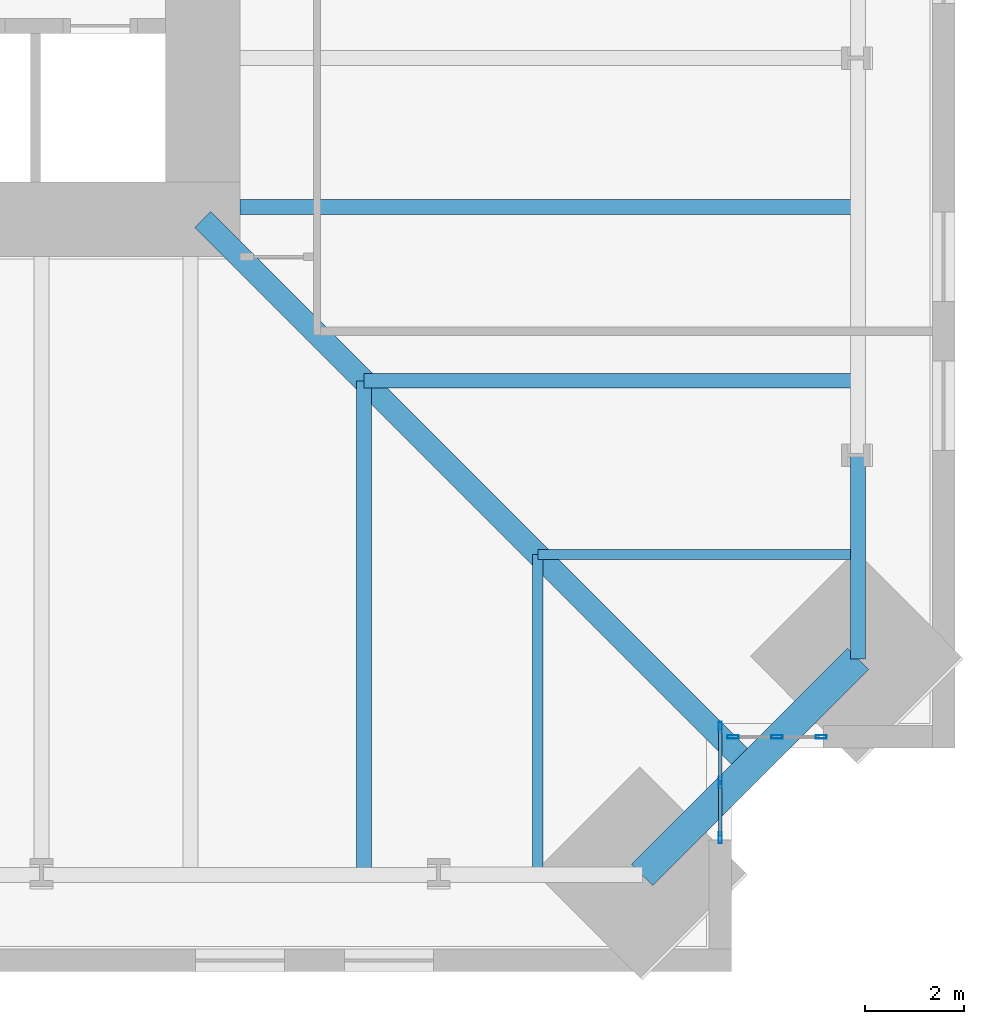
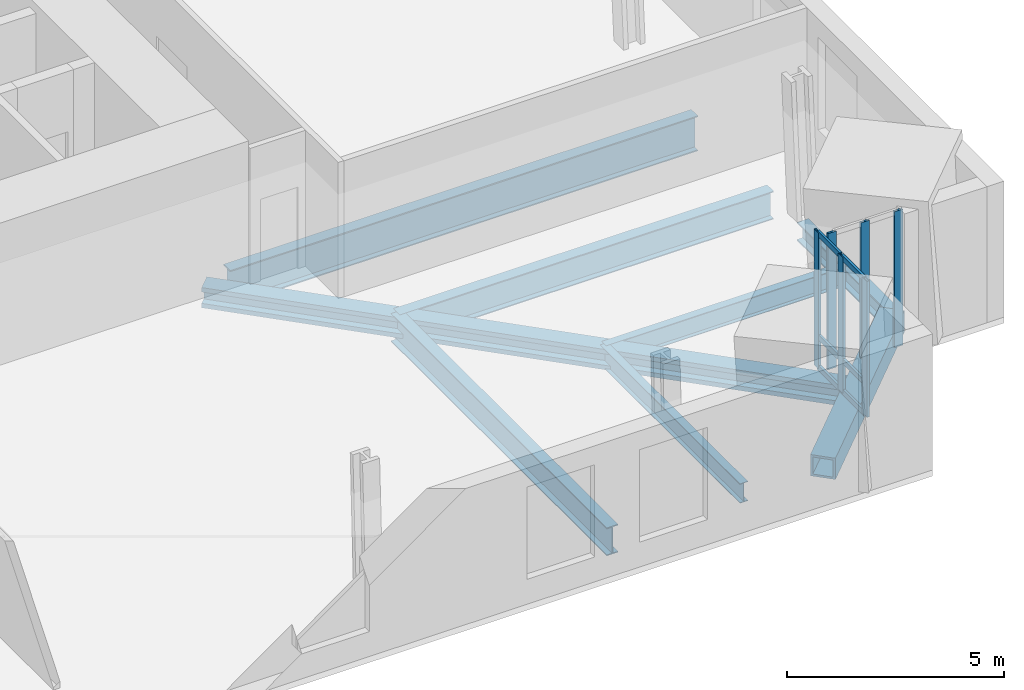
# One storey, part 4 of 18: 12 members, 8 beams, 2 elements without a shape of their own.
"""IFC4 building model written with IfcOpenShell, lengths in metres."""

from ifc_helpers import new_model, si_unit, direction, frame, origin, origin_2d, place, context, subcontext, project, spatial, hollow_rectangle, i_section, extrude, material, material_profile, profile_set, type_object, element, aggregate, save


model = new_model("IFC4")

# Units and contexts
model_context = context("Model", 3, precision=1e-05, world=origin(), true_north=direction((0.0, 1.0)))
body_context = subcontext(model_context, "Body", "Model", "MODEL_VIEW")
ifc_project = project(units=[si_unit("LENGTHUNIT", "METRE"), si_unit("AREAUNIT", "SQUARE_METRE"), si_unit("VOLUMEUNIT", "CUBIC_METRE"), si_unit("PLANEANGLEUNIT", "RADIAN"), si_unit("MASSUNIT", "GRAM", prefix="KILO")], contexts=[model_context])

# Site, building, storey
site_placement = place(None, origin())
site = spatial("IfcSite", under=ifc_project, at=site_placement, CompositionType="ELEMENT")
building_placement = place(site_placement, origin())
building = spatial("IfcBuilding", under=site, at=building_placement, Name="Peilmerk Tower", CompositionType="ELEMENT")
storey_placement = place(building_placement, frame((0.0, 0.0, 159.800048828125)))
storey = spatial("IfcBuildingStorey", under=building, at=storey_placement, Name="L33", CompositionType="ELEMENT", Elevation=159.800048828125)

# Beams
ifc_material_1 = material(Name="Steel S355", Category="steel")
ifc_material_profile_1 = material_profile(ifc_material_1, i_section(OverallWidth=0.2099609375, OverallDepth=0.550048828125, WebThickness=0.010986328125, FlangeThickness=0.01708984375, at=origin_2d()), Name="IPE 550")
ifc_profile_set_1 = profile_set([ifc_material_profile_1], Name="Steel S355")
beam_type_1 = type_object("IfcBeamType", Name="B12 IPE 550 floor beam", PredefinedType="BEAM", material=ifc_profile_set_1)
for number, where, z_axis, x_axis, name in (
    (1, (18.0, -18.0, -0.445068359375), (0.0, -1.0, 0.0), (1.0, 0.0, 0.0), "Floor beam L33"),
    (2, (18.0, -18.0, -0.445068359375), (1.0, 0.0, 0.0), (0.0, 1.0, 0.0), "Floor beam L33"),
):
    element("IfcBeam", number, at=place(storey_placement, frame(where, z_axis=z_axis, x_axis=x_axis)), inside=storey, type_object=beam_type_1, Name=name, PredefinedType="BEAM", context=body_context, shape_type="SweptSolid", body=[
        extrude(i_section(OverallWidth=0.2099609375, OverallDepth=0.550048828125, WebThickness=0.010986328125, FlangeThickness=0.01708984375, at=origin_2d()), origin(), (0.0, 0.0, 1.0), 6.453125),
    ])
ifc_material_profile_2 = material_profile(ifc_material_1, i_section(OverallWidth=0.300048828125, OverallDepth=0.989990234375, WebThickness=0.0166015625, FlangeThickness=0.031005859375, at=origin_2d()), Name="HEA 1000")
ifc_profile_set_2 = profile_set([ifc_material_profile_2], Name="Steel S355")
beam_type_2 = type_object("IfcBeamType", Name="B14 HEA 1000 floor girder", PredefinedType="BEAM", material=ifc_profile_set_2)
beam_1_placement = place(storey_placement, frame((12.0, -11.0, -0.6650390625), z_axis=(1.0, 0.0, 0.0), x_axis=(0.0, 1.0, 0.0)))
element("IfcBeam", 3, at=beam_1_placement, inside=storey, type_object=beam_type_2, Name="Floor beam L33", PredefinedType="BEAM", context=body_context, shape_type="SweptSolid", body=[
    extrude(i_section(OverallWidth=0.300048828125, OverallDepth=0.989990234375, WebThickness=0.0166015625, FlangeThickness=0.031005859375, at=origin_2d()), origin(), (0.0, 0.0, 1.0), 12.453125),
])
ifc_material_2 = material(Name="Steel S460", Category="steel")
ifc_material_profile_3 = material_profile(ifc_material_2, hollow_rectangle(XDim=0.60009765625, YDim=0.60009765625, WallThickness=0.06005859375, at=origin_2d()), Name="BOX 600x600x60")
ifc_profile_set_3 = profile_set([ifc_material_profile_3], Name="Steel S460")
beam_type_3 = type_object("IfcBeamType", Name="B20 BOX 600x600x60 notch beam", PredefinedType="SPANDREL", material=ifc_profile_set_3)
beam_2_placement = place(storey_placement, frame((24.453125, -20.103271484375, -0.469970703125), z_axis=(-0.707106781187, -0.707106781187, 0.0), x_axis=(0.707106781187, -0.707106781187, 0.0)))
element("IfcBeam", 4, at=beam_2_placement, inside=storey, type_object=beam_type_3, Name="Notch beam L33", PredefinedType="SPANDREL", context=body_context, shape_type="SweptSolid", body=[
    extrude(hollow_rectangle(XDim=0.60009765625, YDim=0.60009765625, WallThickness=0.06005859375, at=origin_2d()), origin(), (0.0, 0.0, 1.0), 6.151611328125),
])
ifc_material_profile_4 = material_profile(ifc_material_1, i_section(OverallWidth=0.300048828125, OverallDepth=0.7900390625, WebThickness=0.014892578125, FlangeThickness=0.028076171875, at=origin_2d()), Name="HEA 800")
ifc_profile_set_4 = profile_set([ifc_material_profile_4], Name="Steel S355")
beam_type_4 = type_object("IfcBeamType", Name="B3 HEA 800 floor beam", PredefinedType="BEAM", material=ifc_profile_set_4)
for number, where, z_axis, x_axis, name in (
    (5, (14.5, -14.5, -0.56494140625), (0.0, -1.0, 0.0), (1.0, 0.0, 0.0), "Floor beam L33"),
    (6, (14.5, -14.5, -0.56494140625), (1.0, 0.0, 0.0), (0.0, 1.0, 0.0), "Floor beam L33"),
):
    element("IfcBeam", number, at=place(storey_placement, frame(where, z_axis=z_axis, x_axis=x_axis)), inside=storey, type_object=beam_type_4, Name=name, PredefinedType="BEAM", context=body_context, shape_type="SweptSolid", body=[
        extrude(i_section(OverallWidth=0.300048828125, OverallDepth=0.7900390625, WebThickness=0.014892578125, FlangeThickness=0.028076171875, at=origin_2d()), origin(), (0.0, 0.0, 1.0), 9.953125),
    ])
ifc_material_profile_5 = material_profile(ifc_material_1, i_section(OverallWidth=0.305908203125, OverallDepth=0.52392578125, WebThickness=0.02099609375, FlangeThickness=0.0400390625, at=origin_2d()), Name="HEM 500")
ifc_profile_set_5 = profile_set([ifc_material_profile_5], Name="Steel S355")
beam_type_5 = type_object("IfcBeamType", Name="B33 HEM 500 edge beam", PredefinedType="SPANDREL", material=ifc_profile_set_5)
beam_3_placement = place(storey_placement, frame((24.453125, -20.103271484375, -0.43212890625), z_axis=(0.0, 1.0, 0.0), x_axis=(-1.0, 0.0, 0.0)))
element("IfcBeam", 7, at=beam_3_placement, inside=storey, type_object=beam_type_5, Name="Edge beam L33", PredefinedType="SPANDREL", context=body_context, shape_type="SweptSolid", body=[
    extrude(i_section(OverallWidth=0.305908203125, OverallDepth=0.52392578125, WebThickness=0.02099609375, FlangeThickness=0.0400390625, at=origin_2d()), origin(), (0.0, 0.0, 1.0), 4.103271484375),
])
ifc_material_profile_6 = material_profile(ifc_material_2, i_section(OverallWidth=0.4541015625, OverallDepth=0.569091796875, WebThickness=0.077880859375, FlangeThickness=0.125, at=origin_2d()), Name="HD 400x1086")
ifc_profile_set_6 = profile_set([ifc_material_profile_6], Name="Steel S460")
beam_type_6 = type_object("IfcBeamType", Name="B9 HD 400x1086 corner girder", PredefinedType="BEAM", material=ifc_profile_set_6)
beam_4_placement = place(storey_placement, frame((11.25, -11.25, -0.45458984375), z_axis=(0.707106781187, -0.707106781187, 0.0), x_axis=(0.707106781187, 0.707106781187, 0.0)))
element("IfcBeam", 8, at=beam_4_placement, inside=storey, type_object=beam_type_6, Name="Corner girder L33", PredefinedType="BEAM", context=body_context, shape_type="SweptSolid", body=[
    extrude(i_section(OverallWidth=0.4541015625, OverallDepth=0.569091796875, WebThickness=0.077880859375, FlangeThickness=0.125, at=origin_2d()), origin(), (0.0, 0.0, 1.0), 15.596435546875),
])

# Curtain wall, members
ifc_material_3 = material(Name="Aluminium stick curtain wall", Category="aluminium")
curtain_wall_type = type_object("IfcCurtainWallType", Name="CW3 stick curtain wall, 2250 module", PredefinedType="NOTDEFINED", material=ifc_material_3)
curtain_wall_1_placement = place(storey_placement, origin())
curtain_wall_1 = element("IfcCurtainWall", 9, at=curtain_wall_1_placement, inside=storey, type_object=curtain_wall_type, Name="Curtain wall CW3 SEA L33", PredefinedType="NOTDEFINED")
ifc_material_4 = material(Name="Aluminium EN AW-6063 T6", Category="aluminium")
ifc_material_profile_7 = material_profile(ifc_material_4, hollow_rectangle(XDim=0.06494140625, YDim=0.22509765625, WallThickness=0.00390625, at=origin_2d()), Name="AL 225x65x4")
ifc_profile_set_7 = profile_set([ifc_material_profile_7], Name="Aluminium EN AW-6063 T6")
member_type_1 = type_object("IfcMemberType", Name="CW3-M AL 225x65x4 mullion", PredefinedType="MULLION", material=ifc_profile_set_7)
member_1_placement = place(storey_placement, frame((21.675048828125, -21.482421875, 0.0), z_axis=(0.0, 0.0, 1.0), x_axis=(1.0, 0.0, 0.0)))
member_1 = element("IfcMember", 10, at=member_1_placement, type_object=member_type_1, Name="CW3 mullion 1", PredefinedType="MULLION", context=body_context, shape_type="SweptSolid", body=[
    extrude(hollow_rectangle(XDim=0.06494140625, YDim=0.22509765625, WallThickness=0.00390625, at=origin_2d()), origin(), (0.0, 0.0, 1.0), 3.829833984375),
])
member_2_placement = place(storey_placement, frame((21.675048828125, -22.59423828125, 0.0), z_axis=(0.0, 0.0, 1.0), x_axis=(1.0, 0.0, 0.0)))
member_2 = element("IfcMember", 11, at=member_2_placement, type_object=member_type_1, Name="CW3 mullion 2", PredefinedType="MULLION", context=body_context, shape_type="SweptSolid", body=[
    extrude(hollow_rectangle(XDim=0.06494140625, YDim=0.22509765625, WallThickness=0.00390625, at=origin_2d()), origin(), (0.0, 0.0, 1.0), 3.829833984375),
])
member_3_placement = place(storey_placement, frame((21.675048828125, -23.706298828125, 0.0), z_axis=(0.0, 0.0, 1.0), x_axis=(1.0, 0.0, 0.0)))
member_3 = element("IfcMember", 12, at=member_3_placement, type_object=member_type_1, Name="CW3 mullion 3", PredefinedType="MULLION", context=body_context, shape_type="SweptSolid", body=[
    extrude(hollow_rectangle(XDim=0.06494140625, YDim=0.22509765625, WallThickness=0.00390625, at=origin_2d()), origin(), (0.0, 0.0, 1.0), 3.829833984375),
])

curtain_wall_2_placement = place(storey_placement, origin())
curtain_wall_2 = element("IfcCurtainWall", 13, at=curtain_wall_2_placement, inside=storey, type_object=curtain_wall_type, Name="Curtain wall CW3 SEB L33", PredefinedType="NOTDEFINED")
member_4_placement = place(storey_placement, frame((21.9326171875, -21.675048828125, 0.0), z_axis=(0.0, 0.0, 1.0), x_axis=(0.0, 1.0, 0.0)))
member_4 = element("IfcMember", 14, at=member_4_placement, type_object=member_type_1, Name="CW3 mullion 1", PredefinedType="MULLION", context=body_context, shape_type="SweptSolid", body=[
    extrude(hollow_rectangle(XDim=0.06494140625, YDim=0.22509765625, WallThickness=0.00390625, at=origin_2d()), origin(), (0.0, 0.0, 1.0), 3.829833984375),
])
member_5_placement = place(storey_placement, frame((22.8193359375, -21.675048828125, 0.0), z_axis=(0.0, 0.0, 1.0), x_axis=(0.0, 1.0, 0.0)))
member_5 = element("IfcMember", 15, at=member_5_placement, type_object=member_type_1, Name="CW3 mullion 2", PredefinedType="MULLION", context=body_context, shape_type="SweptSolid", body=[
    extrude(hollow_rectangle(XDim=0.06494140625, YDim=0.22509765625, WallThickness=0.00390625, at=origin_2d()), origin(), (0.0, 0.0, 1.0), 3.829833984375),
])
member_6_placement = place(storey_placement, frame((23.706298828125, -21.675048828125, 0.0), z_axis=(0.0, 0.0, 1.0), x_axis=(0.0, 1.0, 0.0)))
member_6 = element("IfcMember", 16, at=member_6_placement, type_object=member_type_1, Name="CW3 mullion 3", PredefinedType="MULLION", context=body_context, shape_type="SweptSolid", body=[
    extrude(hollow_rectangle(XDim=0.06494140625, YDim=0.22509765625, WallThickness=0.00390625, at=origin_2d()), origin(), (0.0, 0.0, 1.0), 3.829833984375),
])
aggregate(curtain_wall_2, [member_4, member_5, member_6])

# Member
ifc_material_profile_8 = material_profile(ifc_material_4, hollow_rectangle(XDim=0.06494140625, YDim=0.14990234375, WallThickness=0.0029296875, at=origin_2d()), Name="AL 150x65x3")
ifc_profile_set_8 = profile_set([ifc_material_profile_8], Name="Aluminium EN AW-6063 T6")
member_type_2 = type_object("IfcMemberType", Name="CW3-T AL 150x65x3 transom", PredefinedType="USERDEFINED", material=ifc_profile_set_8)
member_7_placement = place(storey_placement, frame((21.675048828125, -21.514892578125, 0.032470703125), z_axis=(0.0, -1.0, 0.0), x_axis=(1.0, 0.0, 0.0)))
member_7 = element("IfcMember", 17, at=member_7_placement, type_object=member_type_2, Name="CW3 transom 1.1", ObjectType="TRANSOM", PredefinedType="USERDEFINED", context=body_context, shape_type="SweptSolid", body=[
    extrude(hollow_rectangle(XDim=0.06494140625, YDim=0.14990234375, WallThickness=0.0029296875, at=origin_2d()), origin(), (0.0, 0.0, 1.0), 1.046875),
])

member_8_placement = place(storey_placement, frame((21.675048828125, -21.514892578125, 0.89990234375), z_axis=(0.0, -1.0, 0.0), x_axis=(1.0, 0.0, 0.0)))
member_8 = element("IfcMember", 18, at=member_8_placement, type_object=member_type_2, Name="CW3 transom 1.2", ObjectType="TRANSOM", PredefinedType="USERDEFINED", context=body_context, shape_type="SweptSolid", body=[
    extrude(hollow_rectangle(XDim=0.06494140625, YDim=0.14990234375, WallThickness=0.0029296875, at=origin_2d()), origin(), (0.0, 0.0, 1.0), 1.046875),
])

member_9_placement = place(storey_placement, frame((21.675048828125, -21.514892578125, 3.79736328125), z_axis=(0.0, -1.0, 0.0), x_axis=(1.0, 0.0, 0.0)))
member_9 = element("IfcMember", 19, at=member_9_placement, type_object=member_type_2, Name="CW3 transom 1.3", ObjectType="TRANSOM", PredefinedType="USERDEFINED", context=body_context, shape_type="SweptSolid", body=[
    extrude(hollow_rectangle(XDim=0.06494140625, YDim=0.14990234375, WallThickness=0.0029296875, at=origin_2d()), origin(), (0.0, 0.0, 1.0), 1.046875),
])

member_10_placement = place(storey_placement, frame((21.675048828125, -22.626953125, 0.032470703125), z_axis=(0.0, -1.0, 0.0), x_axis=(1.0, 0.0, 0.0)))
member_10 = element("IfcMember", 20, at=member_10_placement, type_object=member_type_2, Name="CW3 transom 2.1", ObjectType="TRANSOM", PredefinedType="USERDEFINED", context=body_context, shape_type="SweptSolid", body=[
    extrude(hollow_rectangle(XDim=0.06494140625, YDim=0.14990234375, WallThickness=0.0029296875, at=origin_2d()), origin(), (0.0, 0.0, 1.0), 1.046630859375),
])

member_11_placement = place(storey_placement, frame((21.675048828125, -22.626953125, 0.89990234375), z_axis=(0.0, -1.0, 0.0), x_axis=(1.0, 0.0, 0.0)))
member_11 = element("IfcMember", 21, at=member_11_placement, type_object=member_type_2, Name="CW3 transom 2.2", ObjectType="TRANSOM", PredefinedType="USERDEFINED", context=body_context, shape_type="SweptSolid", body=[
    extrude(hollow_rectangle(XDim=0.06494140625, YDim=0.14990234375, WallThickness=0.0029296875, at=origin_2d()), origin(), (0.0, 0.0, 1.0), 1.046630859375),
])

member_12_placement = place(storey_placement, frame((21.675048828125, -22.626953125, 3.79736328125), z_axis=(0.0, -1.0, 0.0), x_axis=(1.0, 0.0, 0.0)))
member_12 = element("IfcMember", 22, at=member_12_placement, type_object=member_type_2, Name="CW3 transom 2.3", ObjectType="TRANSOM", PredefinedType="USERDEFINED", context=body_context, shape_type="SweptSolid", body=[
    extrude(hollow_rectangle(XDim=0.06494140625, YDim=0.14990234375, WallThickness=0.0029296875, at=origin_2d()), origin(), (0.0, 0.0, 1.0), 1.046630859375),
])

aggregate(curtain_wall_1, [member_1, member_2, member_3, member_7, member_8, member_9, member_10, member_11, member_12])

save(model, "model.ifc")
